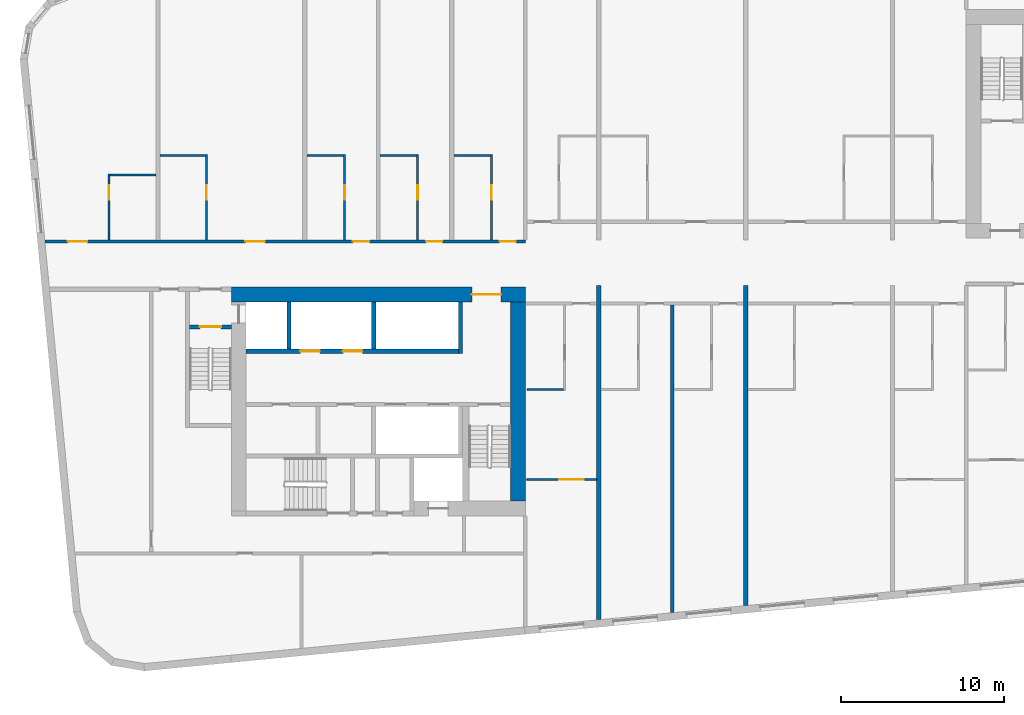
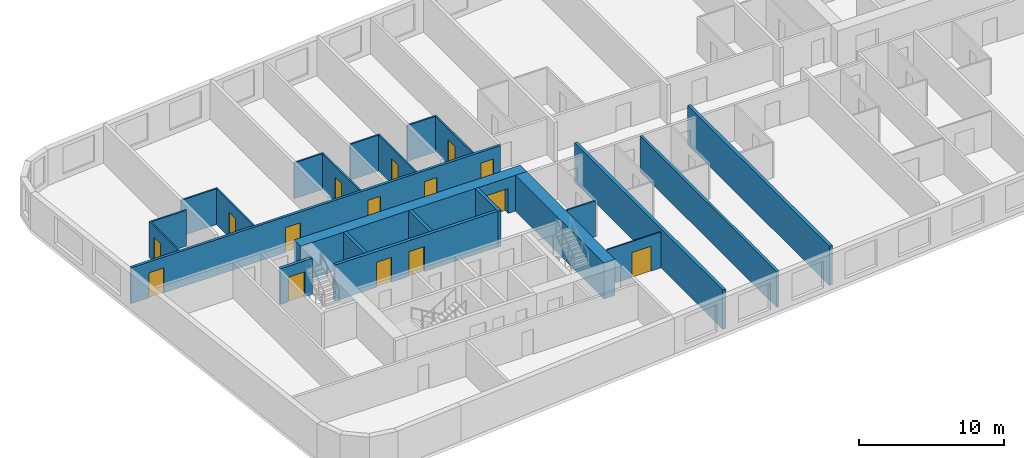
# One storey, part 3 of 12: 23 walls, 15 doors, 15 openings.
"""IFC4 building model written with IfcOpenShell, lengths in metres."""

from ifc_helpers import new_model, si_unit, direction, frame, frame_2d, origin, place, context, subcontext, project, spatial, rectangle, extrude, material, layer, layer_set, type_object, element, fill, save


model = new_model("IFC4")

# Units and contexts
model_context = context("Model", 3, precision=1e-05, world=origin(), true_north=direction((0.0, 1.0)))
body_context = subcontext(model_context, "Body", "Model", "MODEL_VIEW")
ifc_project = project(units=[si_unit("LENGTHUNIT", "METRE"), si_unit("AREAUNIT", "SQUARE_METRE"), si_unit("VOLUMEUNIT", "CUBIC_METRE"), si_unit("PLANEANGLEUNIT", "RADIAN"), si_unit("MASSUNIT", "GRAM", prefix="KILO")], contexts=[model_context])

# Site, building, storey
site_placement = place(None, origin())
site = spatial("IfcSite", under=ifc_project, at=site_placement, CompositionType="ELEMENT")
building_placement = place(site_placement, origin())
building = spatial("IfcBuilding", under=site, at=building_placement, Name="Kajstack Hotel Tower", CompositionType="ELEMENT")
storey_placement = place(building_placement, frame((0.0, 0.0, 180.10009765625)))
storey = spatial("IfcBuildingStorey", under=building, at=storey_placement, Name="L42", CompositionType="ELEMENT", Elevation=180.10009765625)

# Wall, opening, door
ifc_material_1 = material(Name="Concrete C60/75", Category="concrete")
ifc_layer_1 = layer(ifc_material_1, 0.89990234375)
ifc_layer_set_1 = layer_set([ifc_layer_1], Name="Core wall 900")
wall_type_1 = type_object("IfcWallType", Name="Core wall 900", PredefinedType="SHEAR", material=ifc_layer_set_1)
wall_1_placement = place(storey_placement, frame((-31.5, -1.949951171875, 0.0), z_axis=(0.0, 0.0, 1.0), x_axis=(1.0, 0.0, 0.0)))
wall_1 = element("IfcWall", 1, at=wall_1_placement, inside=storey, type_object=wall_type_1, Name="Core wall W RN", PredefinedType="SHEAR", context=body_context, shape_type="SweptSolid", body=[
    extrude(rectangle(XDim=18.0, YDim=0.89990234375, at=frame_2d((9.0, 0.0))), origin(), (0.0, 0.0, 1.0), 3.02001953125),
])
opening_1_placement = place(wall_1_placement, frame((14.72509765625, 0.0, 0.0)))
opening_1 = element("IfcOpeningElement", 2, at=opening_1_placement, cuts=wall_1, Name="Opening 42W07", PredefinedType="OPENING", context=body_context, shape_type="SweptSolid", body=[
    extrude(rectangle(XDim=1.800048828125, YDim=2.10009765625, at=frame_2d((0.89990234375, 1.050048828125))), frame((0.0, 0.4599609375, 0.0), z_axis=(0.0, -1.0, 0.0), x_axis=(1.0, 0.0, 0.0)), (0.0, 0.0, 1.0), 0.919921875),
])
ifc_material_2 = material(Name="Glazed steel frame, fire-rated glass", Category="steel")
door_type_1 = type_object("IfcDoorType", Name="Lobby double door 1800", OperationType="DOUBLE_DOOR_DOUBLE_SWING", PredefinedType="DOOR", material=ifc_material_2)
door_1_placement = place(opening_1_placement, origin())
door_1 = element("IfcDoor", 3, at=door_1_placement, inside=storey, type_object=door_type_1, Name="Door 42W07", OperationType="DOUBLE_DOOR_DOUBLE_SWING", OverallHeight=2.10009765625, OverallWidth=1.800048828125, PredefinedType="DOOR", context=body_context, shape_type="SweptSolid", body=[
    extrude(rectangle(XDim=1.800048828125, YDim=2.10009765625, at=frame_2d((0.89990234375, 1.050048828125))), frame((0.0, 0.02490234375, 0.0), z_axis=(0.0, -1.0, 0.0), x_axis=(1.0, 0.0, 0.0)), (0.0, 0.0, 1.0), 0.050048828125),
])
fill(opening_1, door_1)

# Wall
wall_2_placement = place(storey_placement, frame((-13.949951171875, -14.60009765625, 0.0), z_axis=(0.0, 0.0, 1.0), x_axis=(0.0, 1.0, 0.0)))
element("IfcWall", 4, at=wall_2_placement, inside=storey, type_object=wall_type_1, Name="Core wall W RE", PredefinedType="SHEAR", context=body_context, shape_type="SweptSolid", body=[
    extrude(rectangle(XDim=12.2001953125, YDim=0.89990234375, at=frame_2d((6.10009765625, 0.0))), origin(), (0.0, 0.0, 1.0), 3.02001953125),
])

# Wall, openings, doors
ifc_material_3 = material(Name="Gypsum board on steel studs, mineral wool", Category="steel")
ifc_layer_2 = layer(ifc_material_3, 0.199951171875)
ifc_layer_set_2 = layer_set([ifc_layer_2], Name="Corridor wall 200")
wall_type_2 = type_object("IfcWallType", Name="Corridor wall 200", PredefinedType="PARTITIONING", material=ifc_layer_set_2)
wall_3_placement = place(storey_placement, frame((-42.9130859375, 1.300048828125, 0.0), z_axis=(0.0, 0.0, 1.0), x_axis=(1.0, 0.0, 0.0)))
wall_3 = element("IfcWall", 5, at=wall_3_placement, inside=storey, type_object=wall_type_2, Name="G-wall-L42-003", PredefinedType="PARTITIONING", context=body_context, shape_type="SweptSolid", body=[
    extrude(rectangle(XDim=29.4130859375, YDim=0.199951171875, at=frame_2d((14.70654296875, 0.0))), origin(), (0.0, 0.0, 1.0), 3.02001953125),
])
opening_2_placement = place(wall_3_placement, frame((1.406005859375, 0.0, 0.0)))
opening_2 = element("IfcOpeningElement", 6, at=opening_2_placement, cuts=wall_3, Name="Opening 42001", PredefinedType="OPENING", context=body_context, shape_type="SweptSolid", body=[
    extrude(rectangle(XDim=1.199951171875, YDim=2.10009765625, at=frame_2d((0.60009765625, 1.050048828125))), frame((0.0, 0.10986328125, 0.0), z_axis=(0.0, -1.0, 0.0), x_axis=(1.0, 0.0, 0.0)), (0.0, 0.0, 1.0), 0.219970703125),
])
opening_3_placement = place(wall_3_placement, frame((12.27490234375, 0.0, 0.0)))
opening_3 = element("IfcOpeningElement", 7, at=opening_3_placement, cuts=wall_3, Name="Opening 42003", PredefinedType="OPENING", context=body_context, shape_type="SweptSolid", body=[
    extrude(rectangle(XDim=1.199951171875, YDim=2.10009765625, at=frame_2d((0.60009765625, 1.050048828125))), frame((0.0, 0.10986328125, 0.0), z_axis=(0.0, -1.0, 0.0), x_axis=(1.0, 0.0, 0.0)), (0.0, 0.0, 1.0), 0.219970703125),
])
opening_4_placement = place(wall_3_placement, frame((18.863037109375, 0.0, 0.0)))
opening_4 = element("IfcOpeningElement", 8, at=opening_4_placement, cuts=wall_3, Name="Opening 42005", PredefinedType="OPENING", context=body_context, shape_type="SweptSolid", body=[
    extrude(rectangle(XDim=1.0, YDim=2.10009765625, at=frame_2d((0.5, 1.050048828125))), frame((0.0, 0.10986328125, 0.0), z_axis=(0.0, -1.0, 0.0), x_axis=(1.0, 0.0, 0.0)), (0.0, 0.0, 1.0), 0.219970703125),
])
opening_5_placement = place(wall_3_placement, frame((23.337890625, 0.0, 0.0)))
opening_5 = element("IfcOpeningElement", 9, at=opening_5_placement, cuts=wall_3, Name="Opening 42007", PredefinedType="OPENING", context=body_context, shape_type="SweptSolid", body=[
    extrude(rectangle(XDim=1.0, YDim=2.10009765625, at=frame_2d((0.5, 1.050048828125))), frame((0.0, 0.10986328125, 0.0), z_axis=(0.0, -1.0, 0.0), x_axis=(1.0, 0.0, 0.0)), (0.0, 0.0, 1.0), 0.219970703125),
])
opening_6_placement = place(wall_3_placement, frame((27.837890625, 0.0, 0.0)))
opening_6 = element("IfcOpeningElement", 10, at=opening_6_placement, cuts=wall_3, Name="Opening 42009", PredefinedType="OPENING", context=body_context, shape_type="SweptSolid", body=[
    extrude(rectangle(XDim=1.0, YDim=2.10009765625, at=frame_2d((0.5, 1.050048828125))), frame((0.0, 0.10986328125, 0.0), z_axis=(0.0, -1.0, 0.0), x_axis=(1.0, 0.0, 0.0)), (0.0, 0.0, 1.0), 0.219970703125),
])
ifc_material_4 = material(Name="Oak veneer on timber core, fire-rated leaf", Category="wood")
door_type_2 = type_object("IfcDoorType", Name="Flat entrance door 1000", OperationType="SINGLE_SWING_LEFT", PredefinedType="DOOR", material=ifc_material_4)
door_2_placement = place(opening_4_placement, origin())
door_2 = element("IfcDoor", 11, at=door_2_placement, inside=storey, type_object=door_type_2, Name="G-door-L42-05", OperationType="SINGLE_SWING_RIGHT", OverallHeight=2.10009765625, OverallWidth=1.0, PredefinedType="DOOR", context=body_context, shape_type="SweptSolid", body=[
    extrude(rectangle(XDim=1.0, YDim=2.10009765625, at=frame_2d((0.5, 1.050048828125))), frame((0.0, 0.02490234375, 0.0), z_axis=(0.0, -1.0, 0.0), x_axis=(1.0, 0.0, 0.0)), (0.0, 0.0, 1.0), 0.050048828125),
])
fill(opening_4, door_2)
door_3_placement = place(opening_5_placement, origin())
door_3 = element("IfcDoor", 12, at=door_3_placement, inside=storey, type_object=door_type_2, Name="G-door-L42-07", OperationType="SINGLE_SWING_LEFT", OverallHeight=2.10009765625, OverallWidth=1.0, PredefinedType="DOOR", context=body_context, shape_type="SweptSolid", body=[
    extrude(rectangle(XDim=1.0, YDim=2.10009765625, at=frame_2d((0.5, 1.050048828125))), frame((0.0, 0.02490234375, 0.0), z_axis=(0.0, -1.0, 0.0), x_axis=(1.0, 0.0, 0.0)), (0.0, 0.0, 1.0), 0.050048828125),
])
fill(opening_5, door_3)
door_4_placement = place(opening_6_placement, origin())
door_4 = element("IfcDoor", 13, at=door_4_placement, inside=storey, type_object=door_type_2, Name="G-door-L42-09", OperationType="SINGLE_SWING_LEFT", OverallHeight=2.10009765625, OverallWidth=1.0, PredefinedType="DOOR", context=body_context, shape_type="SweptSolid", body=[
    extrude(rectangle(XDim=1.0, YDim=2.10009765625, at=frame_2d((0.5, 1.050048828125))), frame((0.0, 0.02490234375, 0.0), z_axis=(0.0, -1.0, 0.0), x_axis=(1.0, 0.0, 0.0)), (0.0, 0.0, 1.0), 0.050048828125),
])
fill(opening_6, door_4)
door_type_3 = type_object("IfcDoorType", Name="Flat entrance door 1200", OperationType="SINGLE_SWING_LEFT", PredefinedType="DOOR", material=ifc_material_4)
door_5_placement = place(opening_2_placement, origin())
door_5 = element("IfcDoor", 14, at=door_5_placement, inside=storey, type_object=door_type_3, Name="G-door-L42-01", OperationType="SINGLE_SWING_RIGHT", OverallHeight=2.10009765625, OverallWidth=1.199951171875, PredefinedType="DOOR", context=body_context, shape_type="SweptSolid", body=[
    extrude(rectangle(XDim=1.199951171875, YDim=2.10009765625, at=frame_2d((0.60009765625, 1.050048828125))), frame((0.0, 0.02490234375, 0.0), z_axis=(0.0, -1.0, 0.0), x_axis=(1.0, 0.0, 0.0)), (0.0, 0.0, 1.0), 0.050048828125),
])
fill(opening_2, door_5)
door_6_placement = place(opening_3_placement, origin())
door_6 = element("IfcDoor", 15, at=door_6_placement, inside=storey, type_object=door_type_3, Name="G-door-L42-03", OperationType="SINGLE_SWING_RIGHT", OverallHeight=2.10009765625, OverallWidth=1.199951171875, PredefinedType="DOOR", context=body_context, shape_type="SweptSolid", body=[
    extrude(rectangle(XDim=1.199951171875, YDim=2.10009765625, at=frame_2d((0.60009765625, 1.050048828125))), frame((0.0, 0.02490234375, 0.0), z_axis=(0.0, -1.0, 0.0), x_axis=(1.0, 0.0, 0.0)), (0.0, 0.0, 1.0), 0.050048828125),
])
fill(opening_3, door_6)

# Wall
ifc_material_5 = material(Name="Twin-frame gypsum board on steel studs, mineral wool", Category="steel")
ifc_layer_3 = layer(ifc_material_5, 0.199951171875)
ifc_layer_set_3 = layer_set([ifc_layer_3], Name="Demising wall 200")
wall_type_3 = type_object("IfcWallType", Name="Demising wall 200", PredefinedType="PARTITIONING", material=ifc_layer_set_3)
wall_4_placement = place(storey_placement, frame((-4.5, -21.43408203125, 0.0), z_axis=(0.0, 0.0, 1.0), x_axis=(0.0, 1.0, 0.0)))
element("IfcWall", 16, at=wall_4_placement, inside=storey, type_object=wall_type_3, Name="G-wall-L42-030", PredefinedType="PARTITIONING", context=body_context, shape_type="SweptSolid", body=[
    extrude(rectangle(XDim=18.833984375, YDim=0.199951171875, at=frame_2d((9.4169921875, 0.0))), origin(), (0.0, 0.0, 1.0), 3.02001953125),
])

# Wall, opening, door
ifc_material_6 = material(Name="Gypsum board and tiled backer on steel studs", Category="steel")
ifc_layer_4 = layer(ifc_material_6, 0.125)
ifc_layer_set_4 = layer_set([ifc_layer_4], Name="En-suite wall 125")
wall_type_4 = type_object("IfcWallType", Name="En-suite wall 125", PredefinedType="PARTITIONING", material=ifc_layer_set_4)
wall_5_placement = place(storey_placement, frame((-38.987060546875, 1.39990234375, 0.0), z_axis=(0.0, 0.0, 1.0), x_axis=(0.0, 1.0, 0.0)))
wall_5 = element("IfcWall", 17, at=wall_5_placement, inside=storey, type_object=wall_type_4, Name="G-wall-L42-005", PredefinedType="PARTITIONING", context=body_context, shape_type="SweptSolid", body=[
    extrude(rectangle(XDim=4.028076171875, YDim=0.125, at=frame_2d((2.01416015625, 0.0))), origin(), (0.0, 0.0, 1.0), 3.02001953125),
])
opening_7_placement = place(wall_5_placement, frame((2.449951171875, 0.0, 0.0)))
opening_7 = element("IfcOpeningElement", 18, at=opening_7_placement, cuts=wall_5, Name="Opening 42002", PredefinedType="OPENING", context=body_context, shape_type="SweptSolid", body=[
    extrude(rectangle(XDim=0.89990234375, YDim=2.10009765625, at=frame_2d((0.449951171875, 1.050048828125))), frame((0.0, 0.072509765625, 0.0), z_axis=(0.0, -1.0, 0.0), x_axis=(1.0, 0.0, 0.0)), (0.0, 0.0, 1.0), 0.14501953125),
])
ifc_material_7 = material(Name="Painted timber door leaf", Category="wood")
door_type_4 = type_object("IfcDoorType", Name="Room door 900", OperationType="SINGLE_SWING_LEFT", PredefinedType="DOOR", material=ifc_material_7)
door_7_placement = place(opening_7_placement, origin())
door_7 = element("IfcDoor", 19, at=door_7_placement, inside=storey, type_object=door_type_4, Name="G-door-L42-02", OperationType="SINGLE_SWING_RIGHT", OverallHeight=2.10009765625, OverallWidth=0.89990234375, PredefinedType="DOOR", context=body_context, shape_type="SweptSolid", body=[
    extrude(rectangle(XDim=0.89990234375, YDim=2.10009765625, at=frame_2d((0.449951171875, 1.050048828125))), frame((0.0, 0.02490234375, 0.0), z_axis=(0.0, -1.0, 0.0), x_axis=(1.0, 0.0, 0.0)), (0.0, 0.0, 1.0), 0.050048828125),
])
fill(opening_7, door_7)

# Wall
wall_6_placement = place(storey_placement, frame((-38.925048828125, 5.365966796875, 0.0), z_axis=(0.0, 0.0, 1.0), x_axis=(1.0, 0.0, 0.0)))
element("IfcWall", 20, at=wall_6_placement, inside=storey, type_object=wall_type_4, Name="G-wall-L42-006", PredefinedType="PARTITIONING", context=body_context, shape_type="SweptSolid", body=[
    extrude(rectangle(XDim=2.800048828125, YDim=0.125, at=frame_2d((1.39990234375, 0.0))), origin(), (0.0, 0.0, 1.0), 3.02001953125),
])

# Wall, opening, door
wall_7_placement = place(storey_placement, frame((-33.012939453125, 1.39990234375, 0.0), z_axis=(0.0, 0.0, 1.0), x_axis=(0.0, 1.0, 0.0)))
wall_7 = element("IfcWall", 21, at=wall_7_placement, inside=storey, type_object=wall_type_4, Name="G-wall-L42-007", PredefinedType="PARTITIONING", context=body_context, shape_type="SweptSolid", body=[
    extrude(rectangle(XDim=5.22509765625, YDim=0.125, at=frame_2d((2.612548828125, 0.0))), origin(), (0.0, 0.0, 1.0), 3.02001953125),
])
opening_8_placement = place(wall_7_placement, frame((2.449951171875, 0.0, 0.0)))
opening_8 = element("IfcOpeningElement", 22, at=opening_8_placement, cuts=wall_7, Name="Opening 42004", PredefinedType="OPENING", context=body_context, shape_type="SweptSolid", body=[
    extrude(rectangle(XDim=0.89990234375, YDim=2.10009765625, at=frame_2d((0.449951171875, 1.050048828125))), frame((0.0, 0.072509765625, 0.0), z_axis=(0.0, -1.0, 0.0), x_axis=(1.0, 0.0, 0.0)), (0.0, 0.0, 1.0), 0.14501953125),
])
door_8_placement = place(opening_8_placement, origin())
door_8 = element("IfcDoor", 23, at=door_8_placement, inside=storey, type_object=door_type_4, Name="G-door-L42-04", OperationType="SINGLE_SWING_RIGHT", OverallHeight=2.10009765625, OverallWidth=0.89990234375, PredefinedType="DOOR", context=body_context, shape_type="SweptSolid", body=[
    extrude(rectangle(XDim=0.89990234375, YDim=2.10009765625, at=frame_2d((0.449951171875, 1.050048828125))), frame((0.0, 0.02490234375, 0.0), z_axis=(0.0, -1.0, 0.0), x_axis=(1.0, 0.0, 0.0)), (0.0, 0.0, 1.0), 0.050048828125),
])
fill(opening_8, door_8)

# Wall
wall_8_placement = place(storey_placement, frame((-35.875, 6.56201171875, 0.0), z_axis=(0.0, 0.0, 1.0), x_axis=(1.0, 0.0, 0.0)))
element("IfcWall", 24, at=wall_8_placement, inside=storey, type_object=wall_type_4, Name="G-wall-L42-008", PredefinedType="PARTITIONING", context=body_context, shape_type="SweptSolid", body=[
    extrude(rectangle(XDim=2.800048828125, YDim=0.125, at=frame_2d((1.39990234375, 0.0))), origin(), (0.0, 0.0, 1.0), 3.02001953125),
])

# Wall, opening, door
wall_9_placement = place(storey_placement, frame((-24.56201171875, 1.39990234375, 0.0), z_axis=(0.0, 0.0, 1.0), x_axis=(0.0, 1.0, 0.0)))
wall_9 = element("IfcWall", 25, at=wall_9_placement, inside=storey, type_object=wall_type_4, Name="G-wall-L42-010", PredefinedType="PARTITIONING", context=body_context, shape_type="SweptSolid", body=[
    extrude(rectangle(XDim=5.22509765625, YDim=0.125, at=frame_2d((2.612548828125, 0.0))), origin(), (0.0, 0.0, 1.0), 3.02001953125),
])
opening_9_placement = place(wall_9_placement, frame((2.449951171875, 0.0, 0.0)))
opening_9 = element("IfcOpeningElement", 26, at=opening_9_placement, cuts=wall_9, Name="Opening 42006", PredefinedType="OPENING", context=body_context, shape_type="SweptSolid", body=[
    extrude(rectangle(XDim=0.89990234375, YDim=2.10009765625, at=frame_2d((0.449951171875, 1.050048828125))), frame((0.0, 0.072509765625, 0.0), z_axis=(0.0, -1.0, 0.0), x_axis=(1.0, 0.0, 0.0)), (0.0, 0.0, 1.0), 0.14501953125),
])
door_9_placement = place(opening_9_placement, origin())
door_9 = element("IfcDoor", 27, at=door_9_placement, inside=storey, type_object=door_type_4, Name="G-door-L42-06", OperationType="SINGLE_SWING_RIGHT", OverallHeight=2.10009765625, OverallWidth=0.89990234375, PredefinedType="DOOR", context=body_context, shape_type="SweptSolid", body=[
    extrude(rectangle(XDim=0.89990234375, YDim=2.10009765625, at=frame_2d((0.449951171875, 1.050048828125))), frame((0.0, 0.02490234375, 0.0), z_axis=(0.0, -1.0, 0.0), x_axis=(1.0, 0.0, 0.0)), (0.0, 0.0, 1.0), 0.050048828125),
])
fill(opening_9, door_9)

# Wall
wall_10_placement = place(storey_placement, frame((-26.875, 6.56201171875, 0.0), z_axis=(0.0, 0.0, 1.0), x_axis=(1.0, 0.0, 0.0)))
element("IfcWall", 28, at=wall_10_placement, inside=storey, type_object=wall_type_4, Name="G-wall-L42-011", PredefinedType="PARTITIONING", context=body_context, shape_type="SweptSolid", body=[
    extrude(rectangle(XDim=2.25, YDim=0.125, at=frame_2d((1.125, 0.0))), origin(), (0.0, 0.0, 1.0), 3.02001953125),
])

# Wall, opening, door
wall_11_placement = place(storey_placement, frame((-20.0869140625, 1.39990234375, 0.0), z_axis=(0.0, 0.0, 1.0), x_axis=(0.0, 1.0, 0.0)))
wall_11 = element("IfcWall", 29, at=wall_11_placement, inside=storey, type_object=wall_type_4, Name="G-wall-L42-012", PredefinedType="PARTITIONING", context=body_context, shape_type="SweptSolid", body=[
    extrude(rectangle(XDim=5.22509765625, YDim=0.125, at=frame_2d((2.612548828125, 0.0))), origin(), (0.0, 0.0, 1.0), 3.02001953125),
])
opening_10_placement = place(wall_11_placement, frame((2.449951171875, 0.0, 0.0)))
opening_10 = element("IfcOpeningElement", 30, at=opening_10_placement, cuts=wall_11, Name="Opening 42008", PredefinedType="OPENING", context=body_context, shape_type="SweptSolid", body=[
    extrude(rectangle(XDim=0.89990234375, YDim=2.10009765625, at=frame_2d((0.449951171875, 1.050048828125))), frame((0.0, 0.072509765625, 0.0), z_axis=(0.0, -1.0, 0.0), x_axis=(1.0, 0.0, 0.0)), (0.0, 0.0, 1.0), 0.14501953125),
])
door_10_placement = place(opening_10_placement, origin())
door_10 = element("IfcDoor", 31, at=door_10_placement, inside=storey, type_object=door_type_4, Name="G-door-L42-08", OperationType="SINGLE_SWING_RIGHT", OverallHeight=2.10009765625, OverallWidth=0.89990234375, PredefinedType="DOOR", context=body_context, shape_type="SweptSolid", body=[
    extrude(rectangle(XDim=0.89990234375, YDim=2.10009765625, at=frame_2d((0.449951171875, 1.050048828125))), frame((0.0, 0.02490234375, 0.0), z_axis=(0.0, -1.0, 0.0), x_axis=(1.0, 0.0, 0.0)), (0.0, 0.0, 1.0), 0.050048828125),
])
fill(opening_10, door_10)

# Wall
wall_12_placement = place(storey_placement, frame((-22.39990234375, 6.56201171875, 0.0), z_axis=(0.0, 0.0, 1.0), x_axis=(1.0, 0.0, 0.0)))
element("IfcWall", 32, at=wall_12_placement, inside=storey, type_object=wall_type_4, Name="G-wall-L42-013", PredefinedType="PARTITIONING", context=body_context, shape_type="SweptSolid", body=[
    extrude(rectangle(XDim=2.25, YDim=0.125, at=frame_2d((1.125, 0.0))), origin(), (0.0, 0.0, 1.0), 3.02001953125),
])

# Wall, opening, door
wall_13_placement = place(storey_placement, frame((-15.56201171875, 1.39990234375, 0.0), z_axis=(0.0, 0.0, 1.0), x_axis=(0.0, 1.0, 0.0)))
wall_13 = element("IfcWall", 33, at=wall_13_placement, inside=storey, type_object=wall_type_4, Name="G-wall-L42-015", PredefinedType="PARTITIONING", context=body_context, shape_type="SweptSolid", body=[
    extrude(rectangle(XDim=5.22509765625, YDim=0.125, at=frame_2d((2.612548828125, 0.0))), origin(), (0.0, 0.0, 1.0), 3.02001953125),
])
opening_11_placement = place(wall_13_placement, frame((2.449951171875, 0.0, 0.0)))
opening_11 = element("IfcOpeningElement", 34, at=opening_11_placement, cuts=wall_13, Name="Opening 42010", PredefinedType="OPENING", context=body_context, shape_type="SweptSolid", body=[
    extrude(rectangle(XDim=0.89990234375, YDim=2.10009765625, at=frame_2d((0.449951171875, 1.050048828125))), frame((0.0, 0.072509765625, 0.0), z_axis=(0.0, -1.0, 0.0), x_axis=(1.0, 0.0, 0.0)), (0.0, 0.0, 1.0), 0.14501953125),
])
door_11_placement = place(opening_11_placement, origin())
door_11 = element("IfcDoor", 35, at=door_11_placement, inside=storey, type_object=door_type_4, Name="G-door-L42-10", OperationType="SINGLE_SWING_RIGHT", OverallHeight=2.10009765625, OverallWidth=0.89990234375, PredefinedType="DOOR", context=body_context, shape_type="SweptSolid", body=[
    extrude(rectangle(XDim=0.89990234375, YDim=2.10009765625, at=frame_2d((0.449951171875, 1.050048828125))), frame((0.0, 0.02490234375, 0.0), z_axis=(0.0, -1.0, 0.0), x_axis=(1.0, 0.0, 0.0)), (0.0, 0.0, 1.0), 0.050048828125),
])
fill(opening_11, door_11)

# Walls
for number, where, z_axis, x_axis, name in (
    (36, (-17.875, 6.56201171875, 0.0), (0.0, 0.0, 1.0), (1.0, 0.0, 0.0), "G-wall-L42-016"),
    (37, (-13.39990234375, -7.761962890625, 0.0), (0.0, 0.0, 1.0), (1.0, 0.0, 0.0), "G-wall-L42-028"),
):
    element("IfcWall", number, at=place(storey_placement, frame(where, z_axis=z_axis, x_axis=x_axis)), inside=storey, type_object=wall_type_4, Name=name, PredefinedType="PARTITIONING", context=body_context, shape_type="SweptSolid", body=[
        extrude(rectangle(XDim=2.25, YDim=0.125, at=frame_2d((1.125, 0.0))), origin(), (0.0, 0.0, 1.0), 3.02001953125),
    ])
ifc_material_8 = material(Name="Concrete C50/60", Category="concrete")
ifc_layer_5 = layer(ifc_material_8, 0.300048828125)
ifc_layer_set_5 = layer_set([ifc_layer_5], Name="Hoistway divider wall 300")
wall_type_5 = type_object("IfcWallType", Name="Hoistway divider wall 300", PredefinedType="SHEAR", material=ifc_layer_set_5)
wall_14_placement = place(storey_placement, frame((-22.77490234375, -5.300048828125, 0.0), z_axis=(0.0, 0.0, 1.0), x_axis=(0.0, 1.0, 0.0)))
element("IfcWall", 38, at=wall_14_placement, inside=storey, type_object=wall_type_5, Name="Core wall W AP2", PredefinedType="SHEAR", context=body_context, shape_type="SweptSolid", body=[
    extrude(rectangle(XDim=2.900146484375, YDim=0.25, at=frame_2d((1.4501953125, 0.0))), origin(), (0.0, 0.0, 1.0), 3.02001953125),
])

# Wall, opening, door
ifc_material_9 = material(Name="Gypsum board on steel studs", Category="steel")
ifc_layer_6 = layer(ifc_material_9, 0.10009765625)
ifc_layer_set_6 = layer_set([ifc_layer_6], Name="Partition 100")
wall_type_6 = type_object("IfcWallType", Name="Partition 100", PredefinedType="PARTITIONING", material=ifc_layer_set_6)
wall_15_placement = place(storey_placement, frame((-13.39990234375, -13.27490234375, 0.0), z_axis=(0.0, 0.0, 1.0), x_axis=(1.0, 0.0, 0.0)))
wall_15 = element("IfcWall", 39, at=wall_15_placement, inside=storey, type_object=wall_type_6, Name="G-wall-L42-029", PredefinedType="PARTITIONING", context=body_context, shape_type="SweptSolid", body=[
    extrude(rectangle(XDim=4.27490234375, YDim=0.10009765625, at=frame_2d((2.137451171875, 0.0))), origin(), (0.0, 0.0, 1.0), 3.02001953125),
])
opening_12_placement = place(wall_15_placement, frame((1.988037109375, 0.0, 0.0)))
opening_12 = element("IfcOpeningElement", 40, at=opening_12_placement, cuts=wall_15, Name="Opening 42021", PredefinedType="OPENING", context=body_context, shape_type="SweptSolid", body=[
    extrude(rectangle(XDim=1.5, YDim=2.10009765625, at=frame_2d((0.75, 1.050048828125))), frame((0.0, 0.06005859375, 0.0), z_axis=(0.0, -1.0, 0.0), x_axis=(1.0, 0.0, 0.0)), (0.0, 0.0, 1.0), 0.1201171875),
])
ifc_material_10 = material(Name="Painted timber door leaves, glazed panels", Category="wood")
door_type_5 = type_object("IfcDoorType", Name="Double door 1500", OperationType="SINGLE_SWING_LEFT", PredefinedType="DOOR", material=ifc_material_10)
door_12_placement = place(opening_12_placement, origin())
door_12 = element("IfcDoor", 41, at=door_12_placement, inside=storey, type_object=door_type_5, Name="G-door-L42-21", OperationType="SINGLE_SWING_RIGHT", OverallHeight=2.10009765625, OverallWidth=1.5, PredefinedType="DOOR", context=body_context, shape_type="SweptSolid", body=[
    extrude(rectangle(XDim=1.5, YDim=2.10009765625, at=frame_2d((0.75, 1.050048828125))), frame((0.0, 0.02490234375, 0.0), z_axis=(0.0, -1.0, 0.0), x_axis=(1.0, 0.0, 0.0)), (0.0, 0.0, 1.0), 0.050048828125),
])
fill(opening_12, door_12)

# Walls
ifc_layer_7 = layer(ifc_material_8, 0.25)
ifc_layer_set_7 = layer_set([ifc_layer_7], Name="RC cross wall 250 C50/60")
wall_type_7 = type_object("IfcWallType", Name="RC cross wall 250 C50/60", PredefinedType="SHEAR", material=ifc_layer_set_7)
wall_16_placement = place(storey_placement, frame((-9.0, -21.84521484375, 0.0), z_axis=(0.0, 0.0, 1.0), x_axis=(0.0, 1.0, 0.0)))
element("IfcWall", 42, at=wall_16_placement, inside=storey, type_object=wall_type_7, Name="S-wall-L42-04", PredefinedType="SHEAR", context=body_context, shape_type="SweptSolid", body=[
    extrude(rectangle(XDim=20.4453125, YDim=0.25, at=frame_2d((10.22265625, 0.0))), origin(), (0.0, 0.0, 1.0), 3.2998046875),
])
wall_17_placement = place(storey_placement, frame((0.0, -20.978515625, 0.0), z_axis=(0.0, 0.0, 1.0), x_axis=(0.0, 1.0, 0.0)))
element("IfcWall", 43, at=wall_17_placement, inside=storey, type_object=wall_type_7, Name="S-wall-L42-06", PredefinedType="SHEAR", context=body_context, shape_type="SweptSolid", body=[
    extrude(rectangle(XDim=19.57861328125, YDim=0.25, at=frame_2d((9.789306640625, 0.0))), origin(), (0.0, 0.0, 1.0), 3.2998046875),
])

# Wall, openings, doors
ifc_layer_8 = layer(ifc_material_8, 0.25)
ifc_layer_set_8 = layer_set([ifc_layer_8], Name="Shaft wall 250")
wall_type_8 = type_object("IfcWallType", Name="Shaft wall 250", PredefinedType="SHEAR", material=ifc_layer_set_8)
wall_18_placement = place(storey_placement, frame((-30.60009765625, -5.425048828125, 0.0), z_axis=(0.0, 0.0, 1.0), x_axis=(1.0, 0.0, 0.0)))
wall_18 = element("IfcWall", 44, at=wall_18_placement, inside=storey, type_object=wall_type_8, Name="Core wall W FA", PredefinedType="SHEAR", context=body_context, shape_type="SweptSolid", body=[
    extrude(rectangle(XDim=13.0, YDim=0.25, at=frame_2d((6.5, 0.0))), origin(), (0.0, 0.0, 1.0), 3.02001953125),
])
opening_13_placement = place(wall_18_placement, frame((3.324951171875, 0.0, 0.0)))
opening_13 = element("IfcOpeningElement", 45, at=opening_13_placement, cuts=wall_18, Name="Opening LD-MR3", PredefinedType="OPENING", context=body_context, shape_type="SweptSolid", body=[
    extrude(rectangle(XDim=1.199951171875, YDim=2.10009765625, at=frame_2d((0.60009765625, 1.050048828125))), frame((0.0, 0.135009765625, 0.0), z_axis=(0.0, -1.0, 0.0), x_axis=(1.0, 0.0, 0.0)), (0.0, 0.0, 1.0), 0.27001953125),
])
opening_14_placement = place(wall_18_placement, frame((5.925048828125, 0.0, 0.0)))
opening_14 = element("IfcOpeningElement", 46, at=opening_14_placement, cuts=wall_18, Name="Opening LD-MR4", PredefinedType="OPENING", context=body_context, shape_type="SweptSolid", body=[
    extrude(rectangle(XDim=1.199951171875, YDim=2.10009765625, at=frame_2d((0.60009765625, 1.050048828125))), frame((0.0, 0.135009765625, 0.0), z_axis=(0.0, -1.0, 0.0), x_axis=(1.0, 0.0, 0.0)), (0.0, 0.0, 1.0), 0.27001953125),
])
ifc_material_11 = material(Name="Stainless steel", Category="steel")
door_type_6 = type_object("IfcDoorType", Name="Lift landing door 1200", OperationType="SLIDING_TO_LEFT", PredefinedType="DOOR", material=ifc_material_11)
door_13_placement = place(opening_13_placement, origin())
door_13 = element("IfcDoor", 47, at=door_13_placement, inside=storey, type_object=door_type_6, Name="Landing door MR3", OperationType="SLIDING_TO_RIGHT", OverallHeight=2.10009765625, OverallWidth=1.199951171875, PredefinedType="DOOR", context=body_context, shape_type="SweptSolid", body=[
    extrude(rectangle(XDim=1.199951171875, YDim=2.10009765625, at=frame_2d((0.60009765625, 1.050048828125))), frame((0.0, 0.02490234375, 0.0), z_axis=(0.0, -1.0, 0.0), x_axis=(1.0, 0.0, 0.0)), (0.0, 0.0, 1.0), 0.050048828125),
])
fill(opening_13, door_13)
door_14_placement = place(opening_14_placement, origin())
door_14 = element("IfcDoor", 48, at=door_14_placement, inside=storey, type_object=door_type_6, Name="Landing door MR4", OperationType="SLIDING_TO_RIGHT", OverallHeight=2.10009765625, OverallWidth=1.199951171875, PredefinedType="DOOR", context=body_context, shape_type="SweptSolid", body=[
    extrude(rectangle(XDim=1.199951171875, YDim=2.10009765625, at=frame_2d((0.60009765625, 1.050048828125))), frame((0.0, 0.02490234375, 0.0), z_axis=(0.0, -1.0, 0.0), x_axis=(1.0, 0.0, 0.0)), (0.0, 0.0, 1.0), 0.050048828125),
])
fill(opening_14, door_14)

# Walls
wall_19_placement = place(storey_placement, frame((-17.47509765625, -5.550048828125, 0.0), z_axis=(0.0, 0.0, 1.0), x_axis=(0.0, 1.0, 0.0)))
element("IfcWall", 49, at=wall_19_placement, inside=storey, type_object=wall_type_8, Name="Core wall W AE", PredefinedType="SHEAR", context=body_context, shape_type="SweptSolid", body=[
    extrude(rectangle(XDim=3.150146484375, YDim=0.25, at=frame_2d((1.5751953125, 0.0))), origin(), (0.0, 0.0, 1.0), 3.02001953125),
])
wall_20_placement = place(storey_placement, frame((-27.97509765625, -5.300048828125, 0.0), z_axis=(0.0, 0.0, 1.0), x_axis=(0.0, 1.0, 0.0)))
element("IfcWall", 50, at=wall_20_placement, inside=storey, type_object=wall_type_8, Name="Core wall W AP0", PredefinedType="SHEAR", context=body_context, shape_type="SweptSolid", body=[
    extrude(rectangle(XDim=2.900146484375, YDim=0.25, at=frame_2d((1.4501953125, 0.0))), origin(), (0.0, 0.0, 1.0), 3.02001953125),
])

# Wall, opening, door
ifc_material_12 = material(Name="Concrete C40/50", Category="concrete")
ifc_layer_9 = layer(ifc_material_12, 0.25)
ifc_layer_set_9 = layer_set([ifc_layer_9], Name="Stair enclosure wall 250")
wall_type_9 = type_object("IfcWallType", Name="Stair enclosure wall 250", PredefinedType="SHEAR", material=ifc_layer_set_9)
wall_21_placement = place(storey_placement, frame((-34.050048828125, -3.925048828125, 0.0), z_axis=(0.0, 0.0, 1.0), x_axis=(1.0, 0.0, 0.0)))
wall_21 = element("IfcWall", 51, at=wall_21_placement, inside=storey, type_object=wall_type_9, Name="Core wall W W1N", PredefinedType="SHEAR", context=body_context, shape_type="SweptSolid", body=[
    extrude(rectangle(XDim=2.550048828125, YDim=0.25, at=frame_2d((1.27490234375, 0.0))), origin(), (0.0, 0.0, 1.0), 3.02001953125),
])
opening_15_placement = place(wall_21_placement, frame((0.625, 0.0, 0.0)))
opening_15 = element("IfcOpeningElement", 52, at=opening_15_placement, cuts=wall_21, Name="Opening 42W09", PredefinedType="OPENING", context=body_context, shape_type="SweptSolid", body=[
    extrude(rectangle(XDim=1.300048828125, YDim=2.10009765625, at=frame_2d((0.64990234375, 1.050048828125))), frame((0.0, 0.135009765625, 0.0), z_axis=(0.0, -1.0, 0.0), x_axis=(1.0, 0.0, 0.0)), (0.0, 0.0, 1.0), 0.27001953125),
])
ifc_material_13 = material(Name="Steel leaf, fire-rated", Category="steel")
door_type_7 = type_object("IfcDoorType", Name="Stair door 1300", OperationType="SINGLE_SWING_LEFT", PredefinedType="DOOR", material=ifc_material_13)
door_15_placement = place(opening_15_placement, origin())
door_15 = element("IfcDoor", 53, at=door_15_placement, inside=storey, type_object=door_type_7, Name="Door 42W09", OperationType="SINGLE_SWING_RIGHT", OverallHeight=2.10009765625, OverallWidth=1.300048828125, PredefinedType="DOOR", context=body_context, shape_type="SweptSolid", body=[
    extrude(rectangle(XDim=1.300048828125, YDim=2.10009765625, at=frame_2d((0.64990234375, 1.050048828125))), frame((0.0, 0.02490234375, 0.0), z_axis=(0.0, -1.0, 0.0), x_axis=(1.0, 0.0, 0.0)), (0.0, 0.0, 1.0), 0.050048828125),
])
fill(opening_15, door_15)

save(model, "model.ifc")
